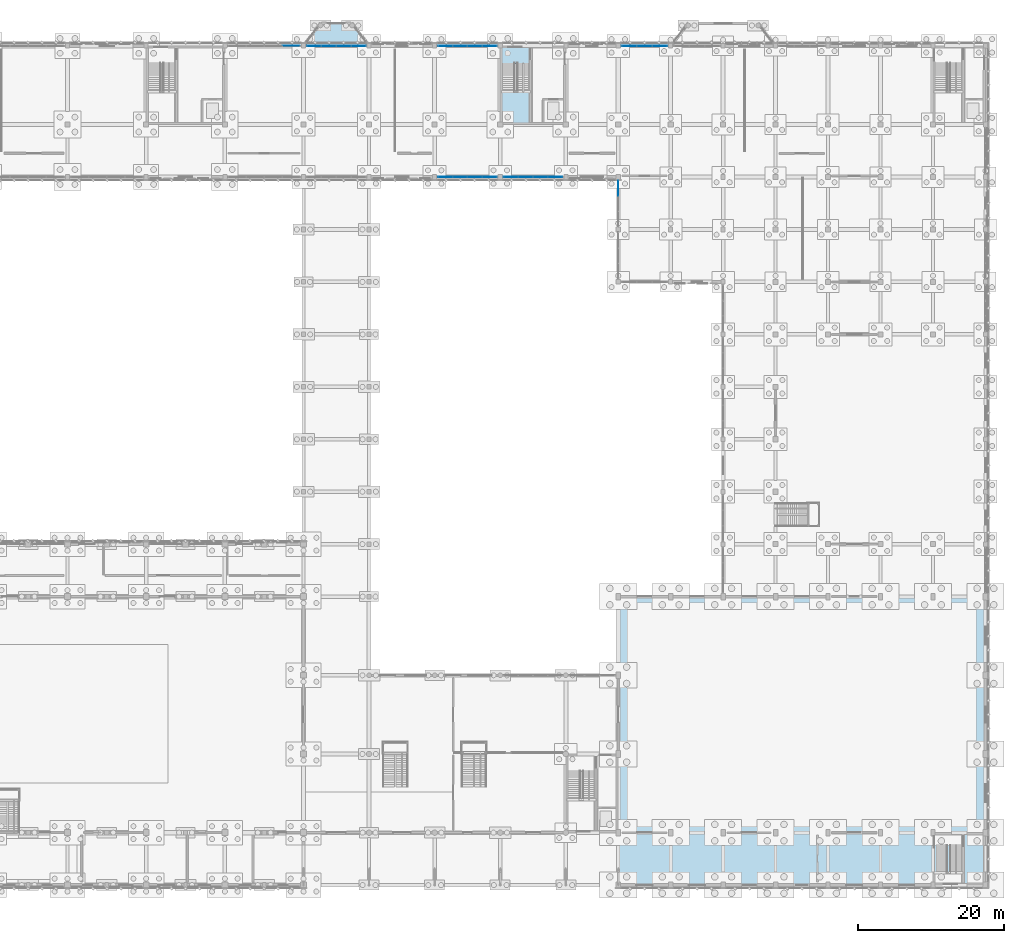
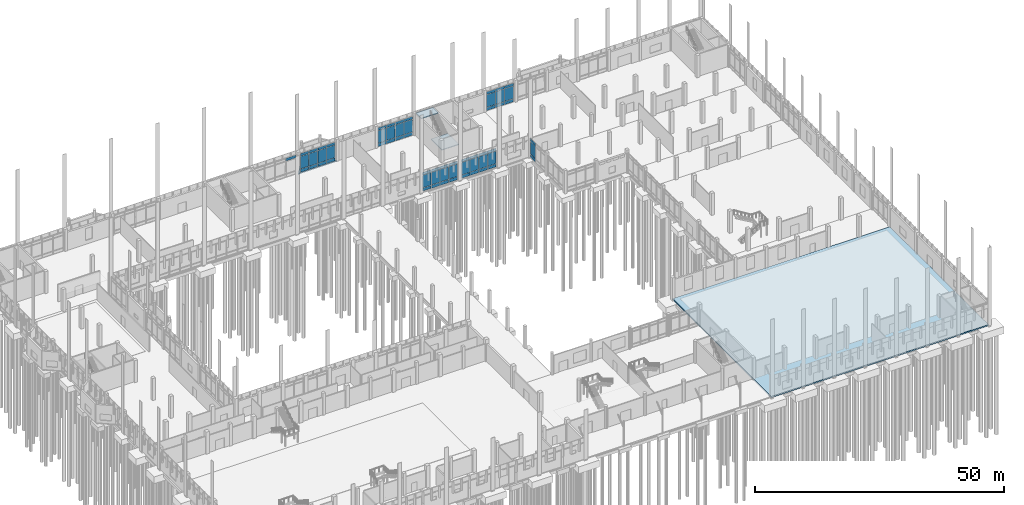
# One storey, part 77 of 109: 61 plates, 4 slabs, 8 elements without a shape of their own.
"""IFC4 building model written with IfcOpenShell, lengths in metres."""

from ifc_helpers import new_model, si_unit, direction, frame, origin, origin_2d, place, context, subcontext, project, spatial, polyline, rectangle, outline, extrude, material, layer, layer_set, type_object, element, aggregate, save


model = new_model("IFC4")

# Units and contexts
model_context = context("Model", 3, precision=1e-05, world=origin(), true_north=direction((0.0, 1.0)))
body_context = subcontext(model_context, "Body", "Model", "MODEL_VIEW")
ifc_project = project(units=[si_unit("LENGTHUNIT", "METRE"), si_unit("AREAUNIT", "SQUARE_METRE"), si_unit("VOLUMEUNIT", "CUBIC_METRE"), si_unit("PLANEANGLEUNIT", "RADIAN"), si_unit("MASSUNIT", "GRAM", prefix="KILO")], contexts=[model_context])

# Site, building, storey
site_placement = place(None, origin())
site = spatial("IfcSite", under=ifc_project, at=site_placement, CompositionType="ELEMENT")
building_placement = place(site_placement, origin())
building = spatial("IfcBuilding", under=site, at=building_placement, Name="Lusvemor Sports Hall", CompositionType="ELEMENT")
storey_placement = place(building_placement, origin())
storey = spatial("IfcBuildingStorey", under=building, at=storey_placement, Name="L00", CompositionType="ELEMENT", Elevation=0.0)

# Curtain wall, plate
ifc_material_1 = material(Name="Thermally broken bronze-anodized aluminium", Category="aluminium")
curtain_wall_type = type_object("IfcCurtainWallType", Name="CW_WING_B", PredefinedType="NOTDEFINED", material=ifc_material_1)
curtain_wall_1_placement = place(storey_placement, origin())
curtain_wall_1 = element("IfcCurtainWall", 1, at=curtain_wall_1_placement, inside=storey, type_object=curtain_wall_type, Name="Curtain Wall CW-L00-N-1-6", PredefinedType="NOTDEFINED")
ifc_material_2 = material(Name="Solar-control laminated double glazing", Category="glass")
ifc_layer_1 = layer(ifc_material_2, 0.028076171875)
ifc_layer_set_1 = layer_set([ifc_layer_1], Name="Solar-control laminated double glazing")
plate_type_1 = type_object("IfcPlateType", Name="CW_PAN_GLZ_28", PredefinedType="CURTAIN_PANEL", material=ifc_layer_set_1)
plate_1_placement = place(storey_placement, frame((73.918701171875, 115.199951171875, 4.0), z_axis=(0.0, 0.0, 1.0), x_axis=(1.0, 0.0, 0.0)))
plate_1 = element("IfcPlate", 2, at=plate_1_placement, type_object=plate_type_1, Name="CW02 panel 4.3", PredefinedType="CURTAIN_PANEL", context=body_context, shape_type="SweptSolid", body=[
    extrude(rectangle(XDim=2.392578125, YDim=0.028076171875, at=origin_2d()), origin(), (0.0, 0.0, 1.0), 0.659912109375),
])
aggregate(curtain_wall_1, [plate_1])

# Curtain wall, plates
curtain_wall_2_placement = place(storey_placement, origin())
curtain_wall_2 = element("IfcCurtainWall", 3, at=curtain_wall_2_placement, inside=storey, type_object=curtain_wall_type, Name="Curtain Wall CW-L00-N-1-7", PredefinedType="NOTDEFINED")
plate_2_placement = place(storey_placement, frame((77.05615234375, 115.199951171875, 0.8798828125), z_axis=(0.0, 0.0, 1.0), x_axis=(1.0, 0.0, 0.0)))
plate_2 = element("IfcPlate", 4, at=plate_2_placement, type_object=plate_type_1, Name="CW02 panel 1.2", PredefinedType="CURTAIN_PANEL", context=body_context, shape_type="SweptSolid", body=[
    extrude(rectangle(XDim=1.9423828125, YDim=0.028076171875, at=origin_2d()), origin(), (0.0, 0.0, 1.0), 3.06005859375),
])
plate_3_placement = place(storey_placement, frame((77.05615234375, 115.199951171875, 4.0), z_axis=(0.0, 0.0, 1.0), x_axis=(1.0, 0.0, 0.0)))
plate_3 = element("IfcPlate", 5, at=plate_3_placement, type_object=plate_type_1, Name="CW02 panel 1.3", PredefinedType="CURTAIN_PANEL", context=body_context, shape_type="SweptSolid", body=[
    extrude(rectangle(XDim=1.9423828125, YDim=0.028076171875, at=origin_2d()), origin(), (0.0, 0.0, 1.0), 0.659912109375),
])
plate_4_placement = place(storey_placement, frame((79.080078125, 115.199951171875, 0.8798828125), z_axis=(0.0, 0.0, 1.0), x_axis=(1.0, 0.0, 0.0)))
plate_4 = element("IfcPlate", 6, at=plate_4_placement, type_object=plate_type_1, Name="CW02 panel 2.2", PredefinedType="CURTAIN_PANEL", context=body_context, shape_type="SweptSolid", body=[
    extrude(rectangle(XDim=1.97509765625, YDim=0.028076171875, at=origin_2d()), origin(), (0.0, 0.0, 1.0), 3.06005859375),
])
plate_5_placement = place(storey_placement, frame((79.080078125, 115.199951171875, 4.0), z_axis=(0.0, 0.0, 1.0), x_axis=(1.0, 0.0, 0.0)))
plate_5 = element("IfcPlate", 7, at=plate_5_placement, type_object=plate_type_1, Name="CW02 panel 2.3", PredefinedType="CURTAIN_PANEL", context=body_context, shape_type="SweptSolid", body=[
    extrude(rectangle(XDim=1.97509765625, YDim=0.028076171875, at=origin_2d()), origin(), (0.0, 0.0, 1.0), 0.659912109375),
])
plate_6_placement = place(storey_placement, frame((81.1201171875, 115.199951171875, 0.8798828125), z_axis=(0.0, 0.0, 1.0), x_axis=(1.0, 0.0, 0.0)))
plate_6 = element("IfcPlate", 8, at=plate_6_placement, type_object=plate_type_1, Name="CW02 panel 3.2", PredefinedType="CURTAIN_PANEL", context=body_context, shape_type="SweptSolid", body=[
    extrude(rectangle(XDim=1.97509765625, YDim=0.028076171875, at=origin_2d()), origin(), (0.0, 0.0, 1.0), 3.06005859375),
])
plate_7_placement = place(storey_placement, frame((81.1201171875, 115.199951171875, 4.0), z_axis=(0.0, 0.0, 1.0), x_axis=(1.0, 0.0, 0.0)))
plate_7 = element("IfcPlate", 9, at=plate_7_placement, type_object=plate_type_1, Name="CW02 panel 3.3", PredefinedType="CURTAIN_PANEL", context=body_context, shape_type="SweptSolid", body=[
    extrude(rectangle(XDim=1.97509765625, YDim=0.028076171875, at=origin_2d()), origin(), (0.0, 0.0, 1.0), 0.659912109375),
])
plate_8_placement = place(storey_placement, frame((83.143798828125, 115.199951171875, 0.8798828125), z_axis=(0.0, 0.0, 1.0), x_axis=(1.0, 0.0, 0.0)))
plate_8 = element("IfcPlate", 10, at=plate_8_placement, type_object=plate_type_1, Name="CW02 panel 4.2", PredefinedType="CURTAIN_PANEL", context=body_context, shape_type="SweptSolid", body=[
    extrude(rectangle(XDim=1.9423828125, YDim=0.028076171875, at=origin_2d()), origin(), (0.0, 0.0, 1.0), 3.06005859375),
])
plate_9_placement = place(storey_placement, frame((83.143798828125, 115.199951171875, 4.0), z_axis=(0.0, 0.0, 1.0), x_axis=(1.0, 0.0, 0.0)))
plate_9 = element("IfcPlate", 11, at=plate_9_placement, type_object=plate_type_1, Name="CW02 panel 4.3", PredefinedType="CURTAIN_PANEL", context=body_context, shape_type="SweptSolid", body=[
    extrude(rectangle(XDim=1.9423828125, YDim=0.028076171875, at=origin_2d()), origin(), (0.0, 0.0, 1.0), 0.659912109375),
])

curtain_wall_3_placement = place(storey_placement, origin())
curtain_wall_3 = element("IfcCurtainWall", 12, at=curtain_wall_3_placement, inside=storey, type_object=curtain_wall_type, Name="Curtain Wall CW-L00-N-1-9", PredefinedType="NOTDEFINED")
plate_10_placement = place(storey_placement, frame((95.05615234375, 115.199951171875, 0.8798828125), z_axis=(0.0, 0.0, 1.0), x_axis=(1.0, 0.0, 0.0)))
plate_10 = element("IfcPlate", 13, at=plate_10_placement, type_object=plate_type_1, Name="CW02 panel 1.2", PredefinedType="CURTAIN_PANEL", context=body_context, shape_type="SweptSolid", body=[
    extrude(rectangle(XDim=1.9423828125, YDim=0.028076171875, at=origin_2d()), origin(), (0.0, 0.0, 1.0), 3.06005859375),
])
plate_11_placement = place(storey_placement, frame((95.05615234375, 115.199951171875, 4.0), z_axis=(0.0, 0.0, 1.0), x_axis=(1.0, 0.0, 0.0)))
plate_11 = element("IfcPlate", 14, at=plate_11_placement, type_object=plate_type_1, Name="CW02 panel 1.3", PredefinedType="CURTAIN_PANEL", context=body_context, shape_type="SweptSolid", body=[
    extrude(rectangle(XDim=1.9423828125, YDim=0.028076171875, at=origin_2d()), origin(), (0.0, 0.0, 1.0), 0.659912109375),
])
plate_12_placement = place(storey_placement, frame((97.080078125, 115.199951171875, 0.8798828125), z_axis=(0.0, 0.0, 1.0), x_axis=(1.0, 0.0, 0.0)))
plate_12 = element("IfcPlate", 15, at=plate_12_placement, type_object=plate_type_1, Name="CW02 panel 2.2", PredefinedType="CURTAIN_PANEL", context=body_context, shape_type="SweptSolid", body=[
    extrude(rectangle(XDim=1.97509765625, YDim=0.028076171875, at=origin_2d()), origin(), (0.0, 0.0, 1.0), 3.06005859375),
])
plate_13_placement = place(storey_placement, frame((97.080078125, 115.199951171875, 4.0), z_axis=(0.0, 0.0, 1.0), x_axis=(1.0, 0.0, 0.0)))
plate_13 = element("IfcPlate", 16, at=plate_13_placement, type_object=plate_type_1, Name="CW02 panel 2.3", PredefinedType="CURTAIN_PANEL", context=body_context, shape_type="SweptSolid", body=[
    extrude(rectangle(XDim=1.97509765625, YDim=0.028076171875, at=origin_2d()), origin(), (0.0, 0.0, 1.0), 0.659912109375),
])
plate_14_placement = place(storey_placement, frame((99.1201171875, 115.199951171875, 0.8798828125), z_axis=(0.0, 0.0, 1.0), x_axis=(1.0, 0.0, 0.0)))
plate_14 = element("IfcPlate", 17, at=plate_14_placement, type_object=plate_type_1, Name="CW02 panel 3.2", PredefinedType="CURTAIN_PANEL", context=body_context, shape_type="SweptSolid", body=[
    extrude(rectangle(XDim=1.97509765625, YDim=0.028076171875, at=origin_2d()), origin(), (0.0, 0.0, 1.0), 3.06005859375),
])
plate_15_placement = place(storey_placement, frame((99.1201171875, 115.199951171875, 4.0), z_axis=(0.0, 0.0, 1.0), x_axis=(1.0, 0.0, 0.0)))
plate_15 = element("IfcPlate", 18, at=plate_15_placement, type_object=plate_type_1, Name="CW02 panel 3.3", PredefinedType="CURTAIN_PANEL", context=body_context, shape_type="SweptSolid", body=[
    extrude(rectangle(XDim=1.97509765625, YDim=0.028076171875, at=origin_2d()), origin(), (0.0, 0.0, 1.0), 0.659912109375),
])
plate_16_placement = place(storey_placement, frame((101.143798828125, 115.199951171875, 0.8798828125), z_axis=(0.0, 0.0, 1.0), x_axis=(1.0, 0.0, 0.0)))
plate_16 = element("IfcPlate", 19, at=plate_16_placement, type_object=plate_type_1, Name="CW02 panel 4.2", PredefinedType="CURTAIN_PANEL", context=body_context, shape_type="SweptSolid", body=[
    extrude(rectangle(XDim=1.9423828125, YDim=0.028076171875, at=origin_2d()), origin(), (0.0, 0.0, 1.0), 3.06005859375),
])
plate_17_placement = place(storey_placement, frame((101.143798828125, 115.199951171875, 4.0), z_axis=(0.0, 0.0, 1.0), x_axis=(1.0, 0.0, 0.0)))
plate_17 = element("IfcPlate", 20, at=plate_17_placement, type_object=plate_type_1, Name="CW02 panel 4.3", PredefinedType="CURTAIN_PANEL", context=body_context, shape_type="SweptSolid", body=[
    extrude(rectangle(XDim=1.9423828125, YDim=0.028076171875, at=origin_2d()), origin(), (0.0, 0.0, 1.0), 0.659912109375),
])

curtain_wall_4_placement = place(storey_placement, origin())
curtain_wall_4 = element("IfcCurtainWall", 21, at=curtain_wall_4_placement, inside=storey, type_object=curtain_wall_type, Name="Curtain Wall CW-L00-N-1-12", PredefinedType="NOTDEFINED")
plate_18_placement = place(storey_placement, frame((120.296142578125, 115.199951171875, 0.8798828125), z_axis=(0.0, 0.0, 1.0), x_axis=(1.0, 0.0, 0.0)))
plate_18 = element("IfcPlate", 22, at=plate_18_placement, type_object=plate_type_1, Name="CW02 panel 1.2", PredefinedType="CURTAIN_PANEL", context=body_context, shape_type="SweptSolid", body=[
    extrude(rectangle(XDim=2.0224609375, YDim=0.028076171875, at=origin_2d()), origin(), (0.0, 0.0, 1.0), 3.06005859375),
])
plate_19_placement = place(storey_placement, frame((120.296142578125, 115.199951171875, 4.0), z_axis=(0.0, 0.0, 1.0), x_axis=(1.0, 0.0, 0.0)))
plate_19 = element("IfcPlate", 23, at=plate_19_placement, type_object=plate_type_1, Name="CW02 panel 1.3", PredefinedType="CURTAIN_PANEL", context=body_context, shape_type="SweptSolid", body=[
    extrude(rectangle(XDim=2.0224609375, YDim=0.028076171875, at=origin_2d()), origin(), (0.0, 0.0, 1.0), 0.659912109375),
])
plate_20_placement = place(storey_placement, frame((122.39990234375, 115.199951171875, 0.8798828125), z_axis=(0.0, 0.0, 1.0), x_axis=(1.0, 0.0, 0.0)))
plate_20 = element("IfcPlate", 24, at=plate_20_placement, type_object=plate_type_1, Name="CW02 panel 2.2", PredefinedType="CURTAIN_PANEL", context=body_context, shape_type="SweptSolid", body=[
    extrude(rectangle(XDim=2.054931640625, YDim=0.028076171875, at=origin_2d()), origin(), (0.0, 0.0, 1.0), 3.06005859375),
])
plate_21_placement = place(storey_placement, frame((122.39990234375, 115.199951171875, 4.0), z_axis=(0.0, 0.0, 1.0), x_axis=(1.0, 0.0, 0.0)))
plate_21 = element("IfcPlate", 25, at=plate_21_placement, type_object=plate_type_1, Name="CW02 panel 2.3", PredefinedType="CURTAIN_PANEL", context=body_context, shape_type="SweptSolid", body=[
    extrude(rectangle(XDim=2.054931640625, YDim=0.028076171875, at=origin_2d()), origin(), (0.0, 0.0, 1.0), 0.659912109375),
])
plate_22_placement = place(storey_placement, frame((124.503662109375, 115.199951171875, 0.8798828125), z_axis=(0.0, 0.0, 1.0), x_axis=(1.0, 0.0, 0.0)))
plate_22 = element("IfcPlate", 26, at=plate_22_placement, type_object=plate_type_1, Name="CW02 panel 3.2", PredefinedType="CURTAIN_PANEL", context=body_context, shape_type="SweptSolid", body=[
    extrude(rectangle(XDim=2.0224609375, YDim=0.028076171875, at=origin_2d()), origin(), (0.0, 0.0, 1.0), 3.06005859375),
])
plate_23_placement = place(storey_placement, frame((124.503662109375, 115.199951171875, 4.0), z_axis=(0.0, 0.0, 1.0), x_axis=(1.0, 0.0, 0.0)))
plate_23 = element("IfcPlate", 27, at=plate_23_placement, type_object=plate_type_1, Name="CW02 panel 3.3", PredefinedType="CURTAIN_PANEL", context=body_context, shape_type="SweptSolid", body=[
    extrude(rectangle(XDim=2.0224609375, YDim=0.028076171875, at=origin_2d()), origin(), (0.0, 0.0, 1.0), 0.659912109375),
])

curtain_wall_5_placement = place(storey_placement, origin())
curtain_wall_5 = element("IfcCurtainWall", 28, at=curtain_wall_5_placement, inside=storey, type_object=curtain_wall_type, Name="Curtain Wall CW-L00-S-3-7", PredefinedType="NOTDEFINED")
plate_24_placement = place(storey_placement, frame((101.143798828125, 97.199951171875, 0.8798828125), z_axis=(0.0, 0.0, 1.0), x_axis=(-1.0, 0.0, 0.0)))
plate_24 = element("IfcPlate", 29, at=plate_24_placement, type_object=plate_type_1, Name="CW02 panel 1.2", PredefinedType="CURTAIN_PANEL", context=body_context, shape_type="SweptSolid", body=[
    extrude(rectangle(XDim=1.9423828125, YDim=0.028076171875, at=origin_2d()), origin(), (0.0, 0.0, 1.0), 3.06005859375),
])
plate_25_placement = place(storey_placement, frame((101.143798828125, 97.199951171875, 4.0), z_axis=(0.0, 0.0, 1.0), x_axis=(-1.0, 0.0, 0.0)))
plate_25 = element("IfcPlate", 30, at=plate_25_placement, type_object=plate_type_1, Name="CW02 panel 1.3", PredefinedType="CURTAIN_PANEL", context=body_context, shape_type="SweptSolid", body=[
    extrude(rectangle(XDim=1.9423828125, YDim=0.028076171875, at=origin_2d()), origin(), (0.0, 0.0, 1.0), 0.659912109375),
])
plate_26_placement = place(storey_placement, frame((99.1201171875, 97.199951171875, 0.8798828125), z_axis=(0.0, 0.0, 1.0), x_axis=(-1.0, 0.0, 0.0)))
plate_26 = element("IfcPlate", 31, at=plate_26_placement, type_object=plate_type_1, Name="CW02 panel 2.2", PredefinedType="CURTAIN_PANEL", context=body_context, shape_type="SweptSolid", body=[
    extrude(rectangle(XDim=1.97509765625, YDim=0.028076171875, at=origin_2d()), origin(), (0.0, 0.0, 1.0), 3.06005859375),
])
plate_27_placement = place(storey_placement, frame((99.1201171875, 97.199951171875, 4.0), z_axis=(0.0, 0.0, 1.0), x_axis=(-1.0, 0.0, 0.0)))
plate_27 = element("IfcPlate", 32, at=plate_27_placement, type_object=plate_type_1, Name="CW02 panel 2.3", PredefinedType="CURTAIN_PANEL", context=body_context, shape_type="SweptSolid", body=[
    extrude(rectangle(XDim=1.97509765625, YDim=0.028076171875, at=origin_2d()), origin(), (0.0, 0.0, 1.0), 0.659912109375),
])
plate_28_placement = place(storey_placement, frame((97.080078125, 97.199951171875, 0.8798828125), z_axis=(0.0, 0.0, 1.0), x_axis=(-1.0, 0.0, 0.0)))
plate_28 = element("IfcPlate", 33, at=plate_28_placement, type_object=plate_type_1, Name="CW02 panel 3.2", PredefinedType="CURTAIN_PANEL", context=body_context, shape_type="SweptSolid", body=[
    extrude(rectangle(XDim=1.97509765625, YDim=0.028076171875, at=origin_2d()), origin(), (0.0, 0.0, 1.0), 3.06005859375),
])
plate_29_placement = place(storey_placement, frame((97.080078125, 97.199951171875, 4.0), z_axis=(0.0, 0.0, 1.0), x_axis=(-1.0, 0.0, 0.0)))
plate_29 = element("IfcPlate", 34, at=plate_29_placement, type_object=plate_type_1, Name="CW02 panel 3.3", PredefinedType="CURTAIN_PANEL", context=body_context, shape_type="SweptSolid", body=[
    extrude(rectangle(XDim=1.97509765625, YDim=0.028076171875, at=origin_2d()), origin(), (0.0, 0.0, 1.0), 0.659912109375),
])
plate_30_placement = place(storey_placement, frame((95.05615234375, 97.199951171875, 0.8798828125), z_axis=(0.0, 0.0, 1.0), x_axis=(-1.0, 0.0, 0.0)))
plate_30 = element("IfcPlate", 35, at=plate_30_placement, type_object=plate_type_1, Name="CW02 panel 4.2", PredefinedType="CURTAIN_PANEL", context=body_context, shape_type="SweptSolid", body=[
    extrude(rectangle(XDim=1.9423828125, YDim=0.028076171875, at=origin_2d()), origin(), (0.0, 0.0, 1.0), 3.06005859375),
])
plate_31_placement = place(storey_placement, frame((95.05615234375, 97.199951171875, 4.0), z_axis=(0.0, 0.0, 1.0), x_axis=(-1.0, 0.0, 0.0)))
plate_31 = element("IfcPlate", 36, at=plate_31_placement, type_object=plate_type_1, Name="CW02 panel 4.3", PredefinedType="CURTAIN_PANEL", context=body_context, shape_type="SweptSolid", body=[
    extrude(rectangle(XDim=1.9423828125, YDim=0.028076171875, at=origin_2d()), origin(), (0.0, 0.0, 1.0), 0.659912109375),
])

curtain_wall_6_placement = place(storey_placement, origin())
curtain_wall_6 = element("IfcCurtainWall", 37, at=curtain_wall_6_placement, inside=storey, type_object=curtain_wall_type, Name="Curtain Wall CW-L00-S-3-8", PredefinedType="NOTDEFINED")
plate_32_placement = place(storey_placement, frame((110.143798828125, 97.199951171875, 0.8798828125), z_axis=(0.0, 0.0, 1.0), x_axis=(-1.0, 0.0, 0.0)))
plate_32 = element("IfcPlate", 38, at=plate_32_placement, type_object=plate_type_1, Name="CW02 panel 1.2", PredefinedType="CURTAIN_PANEL", context=body_context, shape_type="SweptSolid", body=[
    extrude(rectangle(XDim=1.9423828125, YDim=0.028076171875, at=origin_2d()), origin(), (0.0, 0.0, 1.0), 3.06005859375),
])
plate_33_placement = place(storey_placement, frame((110.143798828125, 97.199951171875, 4.0), z_axis=(0.0, 0.0, 1.0), x_axis=(-1.0, 0.0, 0.0)))
plate_33 = element("IfcPlate", 39, at=plate_33_placement, type_object=plate_type_1, Name="CW02 panel 1.3", PredefinedType="CURTAIN_PANEL", context=body_context, shape_type="SweptSolid", body=[
    extrude(rectangle(XDim=1.9423828125, YDim=0.028076171875, at=origin_2d()), origin(), (0.0, 0.0, 1.0), 0.659912109375),
])
plate_34_placement = place(storey_placement, frame((108.1201171875, 97.199951171875, 0.8798828125), z_axis=(0.0, 0.0, 1.0), x_axis=(-1.0, 0.0, 0.0)))
plate_34 = element("IfcPlate", 40, at=plate_34_placement, type_object=plate_type_1, Name="CW02 panel 2.2", PredefinedType="CURTAIN_PANEL", context=body_context, shape_type="SweptSolid", body=[
    extrude(rectangle(XDim=1.97509765625, YDim=0.028076171875, at=origin_2d()), origin(), (0.0, 0.0, 1.0), 3.06005859375),
])
plate_35_placement = place(storey_placement, frame((108.1201171875, 97.199951171875, 4.0), z_axis=(0.0, 0.0, 1.0), x_axis=(-1.0, 0.0, 0.0)))
plate_35 = element("IfcPlate", 41, at=plate_35_placement, type_object=plate_type_1, Name="CW02 panel 2.3", PredefinedType="CURTAIN_PANEL", context=body_context, shape_type="SweptSolid", body=[
    extrude(rectangle(XDim=1.97509765625, YDim=0.028076171875, at=origin_2d()), origin(), (0.0, 0.0, 1.0), 0.659912109375),
])
plate_36_placement = place(storey_placement, frame((106.080078125, 97.199951171875, 0.8798828125), z_axis=(0.0, 0.0, 1.0), x_axis=(-1.0, 0.0, 0.0)))
plate_36 = element("IfcPlate", 42, at=plate_36_placement, type_object=plate_type_1, Name="CW02 panel 3.2", PredefinedType="CURTAIN_PANEL", context=body_context, shape_type="SweptSolid", body=[
    extrude(rectangle(XDim=1.97509765625, YDim=0.028076171875, at=origin_2d()), origin(), (0.0, 0.0, 1.0), 3.06005859375),
])
plate_37_placement = place(storey_placement, frame((106.080078125, 97.199951171875, 4.0), z_axis=(0.0, 0.0, 1.0), x_axis=(-1.0, 0.0, 0.0)))
plate_37 = element("IfcPlate", 43, at=plate_37_placement, type_object=plate_type_1, Name="CW02 panel 3.3", PredefinedType="CURTAIN_PANEL", context=body_context, shape_type="SweptSolid", body=[
    extrude(rectangle(XDim=1.97509765625, YDim=0.028076171875, at=origin_2d()), origin(), (0.0, 0.0, 1.0), 0.659912109375),
])
plate_38_placement = place(storey_placement, frame((104.05615234375, 97.199951171875, 0.8798828125), z_axis=(0.0, 0.0, 1.0), x_axis=(-1.0, 0.0, 0.0)))
plate_38 = element("IfcPlate", 44, at=plate_38_placement, type_object=plate_type_1, Name="CW02 panel 4.2", PredefinedType="CURTAIN_PANEL", context=body_context, shape_type="SweptSolid", body=[
    extrude(rectangle(XDim=1.9423828125, YDim=0.028076171875, at=origin_2d()), origin(), (0.0, 0.0, 1.0), 3.06005859375),
])
plate_39_placement = place(storey_placement, frame((104.05615234375, 97.199951171875, 4.0), z_axis=(0.0, 0.0, 1.0), x_axis=(-1.0, 0.0, 0.0)))
plate_39 = element("IfcPlate", 45, at=plate_39_placement, type_object=plate_type_1, Name="CW02 panel 4.3", PredefinedType="CURTAIN_PANEL", context=body_context, shape_type="SweptSolid", body=[
    extrude(rectangle(XDim=1.9423828125, YDim=0.028076171875, at=origin_2d()), origin(), (0.0, 0.0, 1.0), 0.659912109375),
])

curtain_wall_7_placement = place(storey_placement, origin())
curtain_wall_7 = element("IfcCurtainWall", 46, at=curtain_wall_7_placement, inside=storey, type_object=curtain_wall_type, Name="Curtain Wall CW-V5NE-W-L00-B", PredefinedType="NOTDEFINED")
plate_40_placement = place(storey_placement, frame((118.800048828125, 95.675537109375, 0.8798828125), z_axis=(0.0, 0.0, 1.0), x_axis=(0.0, 1.0, 0.0)))
plate_40 = element("IfcPlate", 47, at=plate_40_placement, type_object=plate_type_1, Name="CW02 panel 3.2", PredefinedType="CURTAIN_PANEL", context=body_context, shape_type="SweptSolid", body=[
    extrude(rectangle(XDim=2.0390625, YDim=0.028076171875, at=origin_2d()), origin(), (0.0, 0.0, 1.0), 3.0400390625),
])
plate_41_placement = place(storey_placement, frame((118.800048828125, 95.675537109375, 3.97998046875), z_axis=(0.0, 0.0, 1.0), x_axis=(0.0, 1.0, 0.0)))
plate_41 = element("IfcPlate", 48, at=plate_41_placement, type_object=plate_type_1, Name="CW02 panel 3.3", PredefinedType="CURTAIN_PANEL", context=body_context, shape_type="SweptSolid", body=[
    extrude(rectangle(XDim=2.0390625, YDim=0.028076171875, at=origin_2d()), origin(), (0.0, 0.0, 1.0), 0.659912109375),
])

# Plate
ifc_material_3 = material(Name="Emerald polychrome glazed ceramic cladding on Concrete C40/50 backing", Category="concrete")
ifc_layer_2 = layer(ifc_material_3, 0.048095703125)
ifc_layer_set_2 = layer_set([ifc_layer_2], Name="Emerald polychrome glazed ceramic cladding on Concrete C40/50 backing")
plate_type_2 = type_object("IfcPlateType", Name="CW_PAN_SPN_48", PredefinedType="CURTAIN_PANEL", material=ifc_layer_set_2)
plate_42_placement = place(storey_placement, frame((77.05615234375, 115.199951171875, 0.06005859375), z_axis=(0.0, 0.0, 1.0), x_axis=(1.0, 0.0, 0.0)))
plate_42 = element("IfcPlate", 49, at=plate_42_placement, type_object=plate_type_2, Name="CW02 panel 1.1", PredefinedType="CURTAIN_PANEL", context=body_context, shape_type="SweptSolid", body=[
    extrude(rectangle(XDim=1.9423828125, YDim=0.048095703125, at=origin_2d()), origin(), (0.0, 0.0, 1.0), 0.760009765625),
])

plate_43_placement = place(storey_placement, frame((79.080078125, 115.199951171875, 0.06005859375), z_axis=(0.0, 0.0, 1.0), x_axis=(1.0, 0.0, 0.0)))
plate_43 = element("IfcPlate", 50, at=plate_43_placement, type_object=plate_type_2, Name="CW02 panel 2.1", PredefinedType="CURTAIN_PANEL", context=body_context, shape_type="SweptSolid", body=[
    extrude(rectangle(XDim=1.97509765625, YDim=0.048095703125, at=origin_2d()), origin(), (0.0, 0.0, 1.0), 0.760009765625),
])

plate_44_placement = place(storey_placement, frame((81.1201171875, 115.199951171875, 0.06005859375), z_axis=(0.0, 0.0, 1.0), x_axis=(1.0, 0.0, 0.0)))
plate_44 = element("IfcPlate", 51, at=plate_44_placement, type_object=plate_type_2, Name="CW02 panel 3.1", PredefinedType="CURTAIN_PANEL", context=body_context, shape_type="SweptSolid", body=[
    extrude(rectangle(XDim=1.97509765625, YDim=0.048095703125, at=origin_2d()), origin(), (0.0, 0.0, 1.0), 0.760009765625),
])

plate_45_placement = place(storey_placement, frame((83.143798828125, 115.199951171875, 0.06005859375), z_axis=(0.0, 0.0, 1.0), x_axis=(1.0, 0.0, 0.0)))
plate_45 = element("IfcPlate", 52, at=plate_45_placement, type_object=plate_type_2, Name="CW02 panel 4.1", PredefinedType="CURTAIN_PANEL", context=body_context, shape_type="SweptSolid", body=[
    extrude(rectangle(XDim=1.9423828125, YDim=0.048095703125, at=origin_2d()), origin(), (0.0, 0.0, 1.0), 0.760009765625),
])

aggregate(curtain_wall_2, [plate_42, plate_2, plate_3, plate_43, plate_4, plate_5, plate_44, plate_6, plate_7, plate_45, plate_8, plate_9])

plate_46_placement = place(storey_placement, frame((95.05615234375, 115.199951171875, 0.06005859375), z_axis=(0.0, 0.0, 1.0), x_axis=(1.0, 0.0, 0.0)))
plate_46 = element("IfcPlate", 53, at=plate_46_placement, type_object=plate_type_2, Name="CW02 panel 1.1", PredefinedType="CURTAIN_PANEL", context=body_context, shape_type="SweptSolid", body=[
    extrude(rectangle(XDim=1.9423828125, YDim=0.048095703125, at=origin_2d()), origin(), (0.0, 0.0, 1.0), 0.760009765625),
])

plate_47_placement = place(storey_placement, frame((97.080078125, 115.199951171875, 0.06005859375), z_axis=(0.0, 0.0, 1.0), x_axis=(1.0, 0.0, 0.0)))
plate_47 = element("IfcPlate", 54, at=plate_47_placement, type_object=plate_type_2, Name="CW02 panel 2.1", PredefinedType="CURTAIN_PANEL", context=body_context, shape_type="SweptSolid", body=[
    extrude(rectangle(XDim=1.97509765625, YDim=0.048095703125, at=origin_2d()), origin(), (0.0, 0.0, 1.0), 0.760009765625),
])

plate_48_placement = place(storey_placement, frame((99.1201171875, 115.199951171875, 0.06005859375), z_axis=(0.0, 0.0, 1.0), x_axis=(1.0, 0.0, 0.0)))
plate_48 = element("IfcPlate", 55, at=plate_48_placement, type_object=plate_type_2, Name="CW02 panel 3.1", PredefinedType="CURTAIN_PANEL", context=body_context, shape_type="SweptSolid", body=[
    extrude(rectangle(XDim=1.97509765625, YDim=0.048095703125, at=origin_2d()), origin(), (0.0, 0.0, 1.0), 0.760009765625),
])

plate_49_placement = place(storey_placement, frame((101.143798828125, 115.199951171875, 0.06005859375), z_axis=(0.0, 0.0, 1.0), x_axis=(1.0, 0.0, 0.0)))
plate_49 = element("IfcPlate", 56, at=plate_49_placement, type_object=plate_type_2, Name="CW02 panel 4.1", PredefinedType="CURTAIN_PANEL", context=body_context, shape_type="SweptSolid", body=[
    extrude(rectangle(XDim=1.9423828125, YDim=0.048095703125, at=origin_2d()), origin(), (0.0, 0.0, 1.0), 0.760009765625),
])

aggregate(curtain_wall_3, [plate_46, plate_10, plate_11, plate_47, plate_12, plate_13, plate_48, plate_14, plate_15, plate_49, plate_16, plate_17])

plate_50_placement = place(storey_placement, frame((120.296142578125, 115.199951171875, 0.06005859375), z_axis=(0.0, 0.0, 1.0), x_axis=(1.0, 0.0, 0.0)))
plate_50 = element("IfcPlate", 57, at=plate_50_placement, type_object=plate_type_2, Name="CW02 panel 1.1", PredefinedType="CURTAIN_PANEL", context=body_context, shape_type="SweptSolid", body=[
    extrude(rectangle(XDim=2.0224609375, YDim=0.048095703125, at=origin_2d()), origin(), (0.0, 0.0, 1.0), 0.760009765625),
])

plate_51_placement = place(storey_placement, frame((122.39990234375, 115.199951171875, 0.06005859375), z_axis=(0.0, 0.0, 1.0), x_axis=(1.0, 0.0, 0.0)))
plate_51 = element("IfcPlate", 58, at=plate_51_placement, type_object=plate_type_2, Name="CW02 panel 2.1", PredefinedType="CURTAIN_PANEL", context=body_context, shape_type="SweptSolid", body=[
    extrude(rectangle(XDim=2.054931640625, YDim=0.048095703125, at=origin_2d()), origin(), (0.0, 0.0, 1.0), 0.760009765625),
])

plate_52_placement = place(storey_placement, frame((124.503662109375, 115.199951171875, 0.06005859375), z_axis=(0.0, 0.0, 1.0), x_axis=(1.0, 0.0, 0.0)))
plate_52 = element("IfcPlate", 59, at=plate_52_placement, type_object=plate_type_2, Name="CW02 panel 3.1", PredefinedType="CURTAIN_PANEL", context=body_context, shape_type="SweptSolid", body=[
    extrude(rectangle(XDim=2.0224609375, YDim=0.048095703125, at=origin_2d()), origin(), (0.0, 0.0, 1.0), 0.760009765625),
])

aggregate(curtain_wall_4, [plate_50, plate_18, plate_19, plate_51, plate_20, plate_21, plate_52, plate_22, plate_23])

plate_53_placement = place(storey_placement, frame((101.143798828125, 97.199951171875, 0.06005859375), z_axis=(0.0, 0.0, 1.0), x_axis=(-1.0, 0.0, 0.0)))
plate_53 = element("IfcPlate", 60, at=plate_53_placement, type_object=plate_type_2, Name="CW02 panel 1.1", PredefinedType="CURTAIN_PANEL", context=body_context, shape_type="SweptSolid", body=[
    extrude(rectangle(XDim=1.9423828125, YDim=0.048095703125, at=origin_2d()), origin(), (0.0, 0.0, 1.0), 0.760009765625),
])

plate_54_placement = place(storey_placement, frame((99.1201171875, 97.199951171875, 0.06005859375), z_axis=(0.0, 0.0, 1.0), x_axis=(-1.0, 0.0, 0.0)))
plate_54 = element("IfcPlate", 61, at=plate_54_placement, type_object=plate_type_2, Name="CW02 panel 2.1", PredefinedType="CURTAIN_PANEL", context=body_context, shape_type="SweptSolid", body=[
    extrude(rectangle(XDim=1.97509765625, YDim=0.048095703125, at=origin_2d()), origin(), (0.0, 0.0, 1.0), 0.760009765625),
])

plate_55_placement = place(storey_placement, frame((97.080078125, 97.199951171875, 0.06005859375), z_axis=(0.0, 0.0, 1.0), x_axis=(-1.0, 0.0, 0.0)))
plate_55 = element("IfcPlate", 62, at=plate_55_placement, type_object=plate_type_2, Name="CW02 panel 3.1", PredefinedType="CURTAIN_PANEL", context=body_context, shape_type="SweptSolid", body=[
    extrude(rectangle(XDim=1.97509765625, YDim=0.048095703125, at=origin_2d()), origin(), (0.0, 0.0, 1.0), 0.760009765625),
])

plate_56_placement = place(storey_placement, frame((95.05615234375, 97.199951171875, 0.06005859375), z_axis=(0.0, 0.0, 1.0), x_axis=(-1.0, 0.0, 0.0)))
plate_56 = element("IfcPlate", 63, at=plate_56_placement, type_object=plate_type_2, Name="CW02 panel 4.1", PredefinedType="CURTAIN_PANEL", context=body_context, shape_type="SweptSolid", body=[
    extrude(rectangle(XDim=1.9423828125, YDim=0.048095703125, at=origin_2d()), origin(), (0.0, 0.0, 1.0), 0.760009765625),
])

aggregate(curtain_wall_5, [plate_53, plate_24, plate_25, plate_54, plate_26, plate_27, plate_55, plate_28, plate_29, plate_56, plate_30, plate_31])

plate_57_placement = place(storey_placement, frame((110.143798828125, 97.199951171875, 0.06005859375), z_axis=(0.0, 0.0, 1.0), x_axis=(-1.0, 0.0, 0.0)))
plate_57 = element("IfcPlate", 64, at=plate_57_placement, type_object=plate_type_2, Name="CW02 panel 1.1", PredefinedType="CURTAIN_PANEL", context=body_context, shape_type="SweptSolid", body=[
    extrude(rectangle(XDim=1.9423828125, YDim=0.048095703125, at=origin_2d()), origin(), (0.0, 0.0, 1.0), 0.760009765625),
])

plate_58_placement = place(storey_placement, frame((108.1201171875, 97.199951171875, 0.06005859375), z_axis=(0.0, 0.0, 1.0), x_axis=(-1.0, 0.0, 0.0)))
plate_58 = element("IfcPlate", 65, at=plate_58_placement, type_object=plate_type_2, Name="CW02 panel 2.1", PredefinedType="CURTAIN_PANEL", context=body_context, shape_type="SweptSolid", body=[
    extrude(rectangle(XDim=1.97509765625, YDim=0.048095703125, at=origin_2d()), origin(), (0.0, 0.0, 1.0), 0.760009765625),
])

plate_59_placement = place(storey_placement, frame((106.080078125, 97.199951171875, 0.06005859375), z_axis=(0.0, 0.0, 1.0), x_axis=(-1.0, 0.0, 0.0)))
plate_59 = element("IfcPlate", 66, at=plate_59_placement, type_object=plate_type_2, Name="CW02 panel 3.1", PredefinedType="CURTAIN_PANEL", context=body_context, shape_type="SweptSolid", body=[
    extrude(rectangle(XDim=1.97509765625, YDim=0.048095703125, at=origin_2d()), origin(), (0.0, 0.0, 1.0), 0.760009765625),
])

plate_60_placement = place(storey_placement, frame((104.05615234375, 97.199951171875, 0.06005859375), z_axis=(0.0, 0.0, 1.0), x_axis=(-1.0, 0.0, 0.0)))
plate_60 = element("IfcPlate", 67, at=plate_60_placement, type_object=plate_type_2, Name="CW02 panel 4.1", PredefinedType="CURTAIN_PANEL", context=body_context, shape_type="SweptSolid", body=[
    extrude(rectangle(XDim=1.9423828125, YDim=0.048095703125, at=origin_2d()), origin(), (0.0, 0.0, 1.0), 0.760009765625),
])

aggregate(curtain_wall_6, [plate_57, plate_32, plate_33, plate_58, plate_34, plate_35, plate_59, plate_36, plate_37, plate_60, plate_38, plate_39])

plate_61_placement = place(storey_placement, frame((118.800048828125, 95.675537109375, 0.06005859375), z_axis=(0.0, 0.0, 1.0), x_axis=(0.0, 1.0, 0.0)))
plate_61 = element("IfcPlate", 68, at=plate_61_placement, type_object=plate_type_2, Name="CW02 panel 3.1", PredefinedType="CURTAIN_PANEL", context=body_context, shape_type="SweptSolid", body=[
    extrude(rectangle(XDim=2.0390625, YDim=0.048095703125, at=origin_2d()), origin(), (0.0, 0.0, 1.0), 0.760009765625),
])

aggregate(curtain_wall_7, [plate_61, plate_40, plate_41])

# Slabs
ifc_material_4 = material(Name="Concrete C40/50", Category="concrete")
ifc_layer_3 = layer(ifc_material_4, 0.300048828125)
ifc_layer_set_3 = layer_set([ifc_layer_3], Name="Concrete C40/50")
slab_type_1 = type_object("IfcSlabType", Name="SLAB_BASE_300", PredefinedType="BASESLAB", material=ifc_layer_set_3)
slab_1_placement = place(storey_placement, frame((0.0, 0.0, -0.300048828125)))
element("IfcSlab", 69, at=slab_1_placement, inside=storey, type_object=slab_type_1, Name="Bow Pavilion Slab BOW-N2 (L00)", PredefinedType="BASESLAB", context=body_context, shape_type="SweptSolid", body=[
    extrude(outline(polyline([(75.60009765625, 115.199951171875), (77.93994140625, 118.300048828125), (82.260009765625, 118.300048828125), (84.60009765625, 115.199951171875), (75.60009765625, 115.199951171875)])), origin(), (0.0, 0.0, 1.0), 0.300048828125),
])
ifc_material_5 = material(Name="Concrete C40/50", Category="concrete")
ifc_layer_4 = layer(ifc_material_5, 0.320068359375)
ifc_layer_set_4 = layer_set([ifc_layer_4], Name="Concrete C40/50")
slab_type_2 = type_object("IfcSlabType", Name="SLAB_BASE_320", PredefinedType="BASESLAB", material=ifc_layer_set_4)
slab_2_placement = place(storey_placement, frame((0.0, 0.0, -0.320068359375)))
element("IfcSlab", 70, at=slab_2_placement, inside=storey, type_object=slab_type_2, Name="Slab L00 V2-MAIN", PredefinedType="BASESLAB", context=body_context, shape_type="SweptSolid", body=[
    extrude(outline(polyline([(118.800048828125, 0.0), (169.199951171875, 0.0), (169.199951171875, 39.60009765625), (118.800048828125, 39.60009765625), (118.800048828125, 0.0)])), origin(), (0.0, 0.0, 1.0), 0.320068359375),
])

# Stair, slabs
ifc_material_6 = material(Name="Concrete C40/50", Category="concrete")
stair_type = type_object("IfcStairType", Name="STAIR_CORE_540", PredefinedType="HALF_TURN_STAIR", material=ifc_material_6)
stair_placement = place(storey_placement, origin())
stair = element("IfcStair", 71, at=stair_placement, inside=storey, type_object=stair_type, Name="Escape Stair C4 (L00)", PredefinedType="HALF_TURN_STAIR")
ifc_material_7 = material(Name="Concrete C40/50", Category="concrete")
ifc_layer_5 = layer(ifc_material_7, 0.199951171875)
ifc_layer_set_5 = layer_set([ifc_layer_5], Name="Concrete C40/50")
slab_type_3 = type_object("IfcSlabType", Name="SLAB_LAND_200", PredefinedType="LANDING", material=ifc_layer_set_5)
slab_3_placement = place(storey_placement, frame((0.0, 0.0, 2.5)))
slab_3 = element("IfcSlab", 72, at=slab_3_placement, type_object=slab_type_3, Name="ST01 landing 1", PredefinedType="LANDING", context=body_context, shape_type="SweptSolid", body=[
    extrude(outline(polyline([(102.780029296875, 104.580078125), (106.719970703125, 104.580078125), (106.719970703125, 108.969970703125), (102.780029296875, 108.969970703125), (102.780029296875, 104.580078125)])), origin(), (0.0, 0.0, 1.0), 0.199951171875),
])
slab_4_placement = place(storey_placement, frame((0.0, 0.0, 5.199951171875)))
slab_4 = element("IfcSlab", 73, at=slab_4_placement, type_object=slab_type_3, Name="ST01 landing 2", PredefinedType="LANDING", context=body_context, shape_type="SweptSolid", body=[
    extrude(outline(polyline([(102.780029296875, 112.81005859375), (106.719970703125, 112.81005859375), (106.719970703125, 115.02001953125), (102.780029296875, 115.02001953125), (102.780029296875, 112.81005859375)])), origin(), (0.0, 0.0, 1.0), 0.199951171875),
])
aggregate(stair, [slab_3, slab_4])

save(model, "model.ifc")
